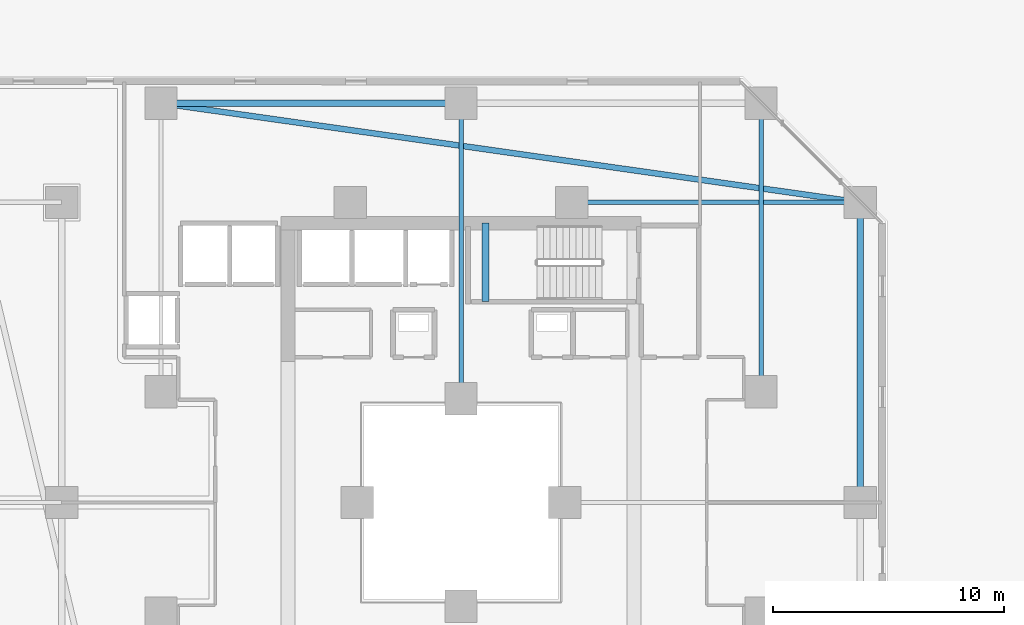
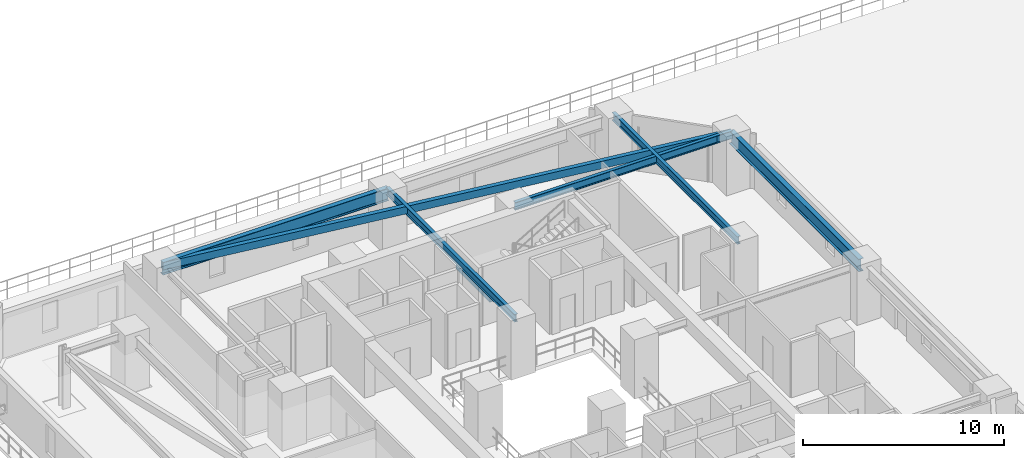
# One storey, part 8 of 34: 7 beams.
"""IFC4 building model written with IfcOpenShell, lengths in metres."""

from ifc_helpers import new_model, si_unit, direction, frame, origin, origin_2d, place, context, subcontext, project, spatial, rectangle, hollow_rectangle, i_section, extrude, material, material_profile, profile_set, type_object, element, save


model = new_model("IFC4")

# Units and contexts
model_context = context("Model", 3, precision=1e-05, world=origin(), true_north=direction((0.0, 1.0)))
body_context = subcontext(model_context, "Body", "Model", "MODEL_VIEW")
ifc_project = project(units=[si_unit("LENGTHUNIT", "METRE"), si_unit("AREAUNIT", "SQUARE_METRE"), si_unit("VOLUMEUNIT", "CUBIC_METRE"), si_unit("PLANEANGLEUNIT", "RADIAN"), si_unit("MASSUNIT", "GRAM", prefix="KILO")], contexts=[model_context])

# Site, building, storey
site_placement = place(None, origin())
site = spatial("IfcSite", under=ifc_project, at=site_placement, CompositionType="ELEMENT")
building_placement = place(site_placement, origin())
building = spatial("IfcBuilding", under=site, at=building_placement, Name="Thornwick Lancets Civic Towers", CompositionType="ELEMENT")
storey_placement = place(building_placement, frame((0.0, 0.0, 27.89990234375)))
storey = spatial("IfcBuildingStorey", under=building, at=storey_placement, Name="L06", CompositionType="ELEMENT", Elevation=27.89990234375)

# Beams
ifc_material_1 = material(Name="Steel S355JR", Category="steel")
ifc_material_profile_1 = material_profile(ifc_material_1, i_section(OverallWidth=0.26806640625, OverallDepth=0.769775390625, WebThickness=0.015625, FlangeThickness=0.025390625, FilletRadius=0.0166015625, at=origin_2d()), Name="UKB 762x267x197")
ifc_profile_set_1 = profile_set([ifc_material_profile_1], Name="Steel S355JR")
beam_type_1 = type_object("IfcBeamType", Name="BM_GIRD_762_197", PredefinedType="BEAM", material=ifc_profile_set_1)
beam_1_placement = place(storey_placement, frame((42.800048828125, 27.080078125, 2.97509765625), z_axis=(0.0, 1.0, 0.0), x_axis=(-1.0, 0.0, 0.0)))
element("IfcBeam", 1, at=beam_1_placement, inside=storey, type_object=beam_type_1, Name="BM-SPINE-L06-A-4-5", PredefinedType="BEAM", context=body_context, shape_type="SweptSolid", body=[
    extrude(i_section(OverallWidth=0.26806640625, OverallDepth=0.769775390625, WebThickness=0.015625, FlangeThickness=0.025390625, FilletRadius=0.0166015625, at=origin_2d()), origin(), (0.0, 0.0, 1.0), 12.919921875),
])
beam_2_placement = place(storey_placement, frame((12.5, 44.300048828125, 2.97509765625), z_axis=(1.0, 0.0, 0.0), x_axis=(0.0, 1.0, 0.0)))
element("IfcBeam", 2, at=beam_2_placement, inside=storey, type_object=beam_type_1, Name="BM-SPINE-L06-A-6-7", PredefinedType="BEAM", context=body_context, shape_type="SweptSolid", body=[
    extrude(i_section(OverallWidth=0.26806640625, OverallDepth=0.769775390625, WebThickness=0.015625, FlangeThickness=0.025390625, FilletRadius=0.0166015625, at=origin_2d()), origin(), (0.0, 0.0, 1.0), 13.0),
])
ifc_material_profile_2 = material_profile(ifc_material_1, i_section(OverallWidth=0.19287109375, OverallDepth=0.46728515625, WebThickness=0.011474609375, FlangeThickness=0.01953125, FilletRadius=0.01025390625, at=origin_2d()), Name="UKB 457x191x98")
ifc_profile_set_2 = profile_set([ifc_material_profile_2], Name="Steel S355JR")
beam_type_2 = type_object("IfcBeamType", Name="BM_JOIST_457_98", PredefinedType="JOIST", material=ifc_profile_set_2)
beam_3_placement = place(storey_placement, frame((30.300048828125, 40.0, 3.12646484375), z_axis=(1.0, 0.0, 0.0), x_axis=(0.0, 1.0, 0.0)))
element("IfcBeam", 3, at=beam_3_placement, inside=storey, type_object=beam_type_2, Name="BM-RADIN-L06-A06", PredefinedType="JOIST", context=body_context, shape_type="SweptSolid", body=[
    extrude(i_section(OverallWidth=0.19287109375, OverallDepth=0.46728515625, WebThickness=0.011474609375, FlangeThickness=0.01953125, FilletRadius=0.01025390625, at=origin_2d()), origin(), (0.0, 0.0, 1.0), 12.5),
])
beam_4_placement = place(storey_placement, frame((25.5, 31.5, 3.12646484375), z_axis=(0.0, 1.0, 0.0), x_axis=(-1.0, 0.0, 0.0)))
element("IfcBeam", 4, at=beam_4_placement, inside=storey, type_object=beam_type_2, Name="BM-RADIN-L06-A08", PredefinedType="JOIST", context=body_context, shape_type="SweptSolid", body=[
    extrude(i_section(OverallWidth=0.19287109375, OverallDepth=0.46728515625, WebThickness=0.011474609375, FlangeThickness=0.01953125, FilletRadius=0.01025390625, at=origin_2d()), origin(), (0.0, 0.0, 1.0), 12.800048828125),
])
beam_5_placement = place(storey_placement, frame((38.5, 31.800048828125, 3.12646484375), z_axis=(0.0, 1.0, 0.0), x_axis=(-1.0, 0.0, 0.0)))
element("IfcBeam", 5, at=beam_5_placement, inside=storey, type_object=beam_type_2, Name="BM-RADIN-L06-A09", PredefinedType="JOIST", context=body_context, shape_type="SweptSolid", body=[
    extrude(i_section(OverallWidth=0.19287109375, OverallDepth=0.46728515625, WebThickness=0.011474609375, FlangeThickness=0.01953125, FilletRadius=0.01025390625, at=origin_2d()), origin(), (0.0, 0.0, 1.0), 12.5),
])
ifc_material_profile_3 = material_profile(ifc_material_1, hollow_rectangle(XDim=0.25, YDim=0.449951171875, WallThickness=0.01611328125, at=origin_2d()), Name="RHS 450x250x16")
ifc_profile_set_3 = profile_set([ifc_material_profile_3], Name="Steel S355JR")
beam_type_3 = type_object("IfcBeamType", Name="BM_RING_RHS450", PredefinedType="BEAM", material=ifc_profile_set_3)
beam_6_placement = place(storey_placement, frame((42.800048828125, 40.0, 3.135009765625), z_axis=(-0.990079584012, 0.140507712682, 0.0), x_axis=(-0.140507712682, -0.990079584012, 0.0)))
element("IfcBeam", 6, at=beam_6_placement, inside=storey, type_object=beam_type_3, Name="BM-CHAMF-L06-A-C1", PredefinedType="BEAM", context=body_context, shape_type="SweptSolid", body=[
    extrude(hollow_rectangle(XDim=0.25, YDim=0.449951171875, WallThickness=0.01611328125, at=origin_2d()), origin(), (0.0, 0.0, 1.0), 30.603759765625),
])
ifc_material_2 = material(Name="Concrete C40/50", Category="concrete")
ifc_material_profile_4 = material_profile(ifc_material_2, rectangle(XDim=0.300048828125, YDim=0.35009765625, at=origin_2d()), Name="RC 300x350")
ifc_profile_set_4 = profile_set([ifc_material_profile_4], Name="Concrete C40/50")
beam_type_4 = type_object("IfcBeamType", Name="BM_STAIR_LDG", PredefinedType="BEAM", material=ifc_profile_set_4)
beam_7_placement = place(storey_placement, frame((26.56494140625, 39.10009765625, 1.378173828125), z_axis=(0.0, -1.0, 0.0), x_axis=(1.0, 0.0, 0.0)))
element("IfcBeam", 7, at=beam_7_placement, inside=storey, type_object=beam_type_4, Name="L06 ST-A2 Landing Support Beam 1", PredefinedType="BEAM", context=body_context, shape_type="SweptSolid", body=[
    extrude(rectangle(XDim=0.300048828125, YDim=0.35009765625, at=origin_2d()), origin(), (0.0, 0.0, 1.0), 3.400146484375),
])

save(model, "model.ifc")
